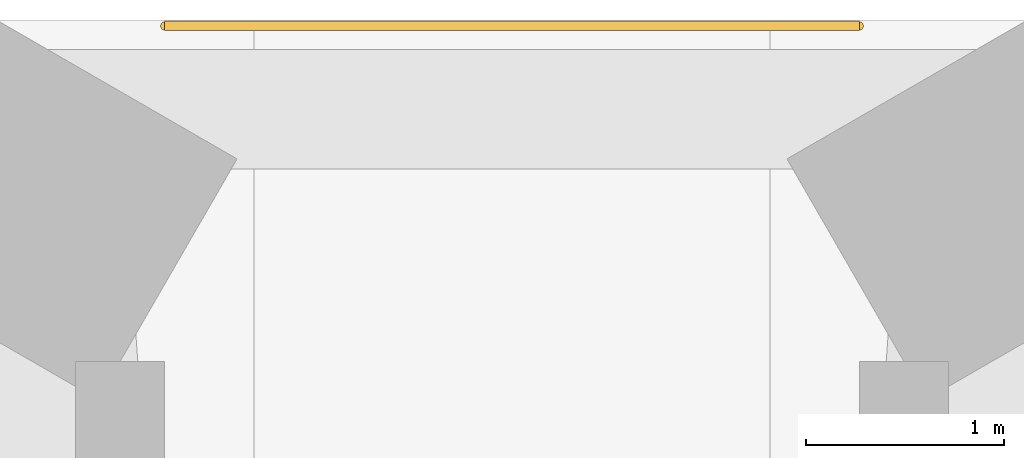
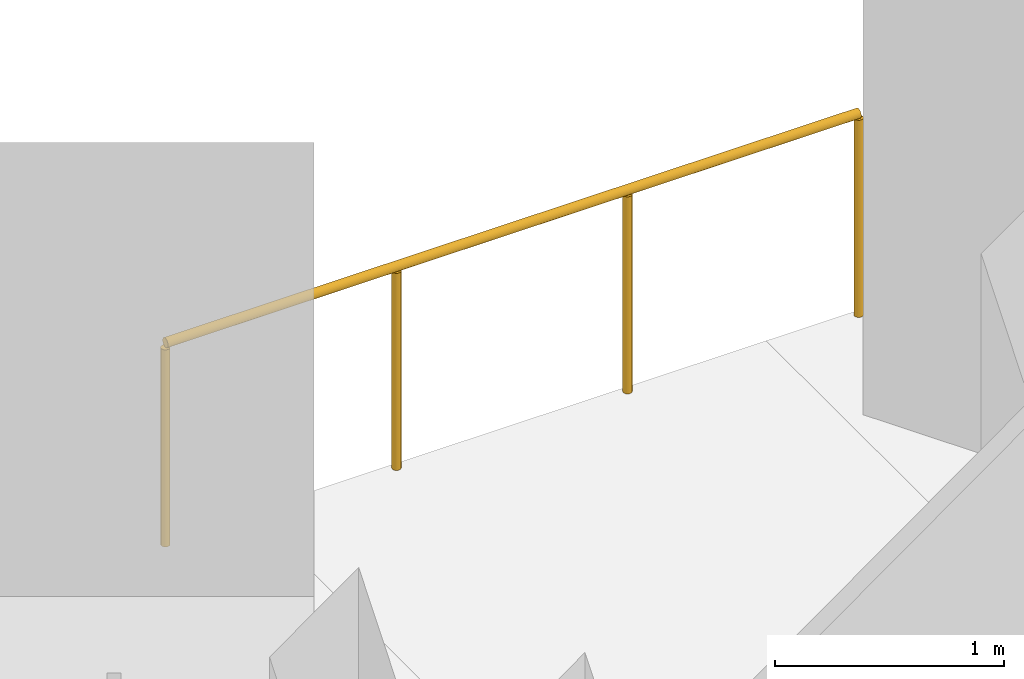
# One storey, part 20 of 20: 1 railing.
"""IFC4 building model written with IfcOpenShell, lengths in metres."""

from ifc_helpers import new_model, si_unit, direction, frame, origin, origin_2d, place, context, subcontext, project, spatial, circle, extrude, material, type_object, element, save


model = new_model("IFC4")

# Units and contexts
model_context = context("Model", 3, precision=1e-05, world=origin(), true_north=direction((0.0, 1.0)))
body_context = subcontext(model_context, "Body", "Model", "MODEL_VIEW")
ifc_project = project(units=[si_unit("LENGTHUNIT", "METRE"), si_unit("AREAUNIT", "SQUARE_METRE"), si_unit("VOLUMEUNIT", "CUBIC_METRE"), si_unit("PLANEANGLEUNIT", "RADIAN"), si_unit("MASSUNIT", "GRAM", prefix="KILO")], contexts=[model_context])

# Site, building, storey
site_placement = place(None, origin())
site = spatial("IfcSite", under=ifc_project, at=site_placement, CompositionType="ELEMENT")
building_placement = place(site_placement, origin())
building = spatial("IfcBuilding", under=site, at=building_placement, Name="Tramontana Tower", CompositionType="ELEMENT")
storey_placement = place(building_placement, frame((0.0, 0.0, 10.0)))
storey = spatial("IfcBuildingStorey", under=building, at=storey_placement, Name="L01", CompositionType="ELEMENT", Elevation=10.0)

# Railing
ifc_material = material(Name="Laminated glass balustrade", Category="glass")
railing_type = type_object("IfcRailingType", Name="GD1 Loggia glass balustrade 1100", PredefinedType="BALUSTRADE", material=ifc_material)
railing_placement = place(storey_placement, frame((-1.75, 33.469970703125, 0.0)))
element("IfcRailing", 1, at=railing_placement, inside=storey, type_object=railing_type, Name="Corner loggia balustrade L01 K00", PredefinedType="BALUSTRADE", context=body_context, shape_type="SweptSolid", body=[
    extrude(circle(Radius=0.02392578125, at=origin_2d()), frame((0.0, 0.0, 1.076171875), z_axis=(1.0, 0.0, 0.0), x_axis=(0.0, 1.0, 0.0)), (0.0, 0.0, 1.0), 3.5),
    extrude(circle(Radius=0.02099609375, at=origin_2d()), origin(), (0.0, 0.0, 1.0), 1.052001953125),
    extrude(circle(Radius=0.02099609375, at=origin_2d()), frame((1.166748046875, 0.0, 0.0)), (0.0, 0.0, 1.0), 1.052001953125),
    extrude(circle(Radius=0.02099609375, at=origin_2d()), frame((2.333251953125, 0.0, 0.0)), (0.0, 0.0, 1.0), 1.052001953125),
    extrude(circle(Radius=0.02099609375, at=origin_2d()), frame((3.5, 0.0, 0.0)), (0.0, 0.0, 1.0), 1.052001953125),
])

save(model, "model.ifc")
